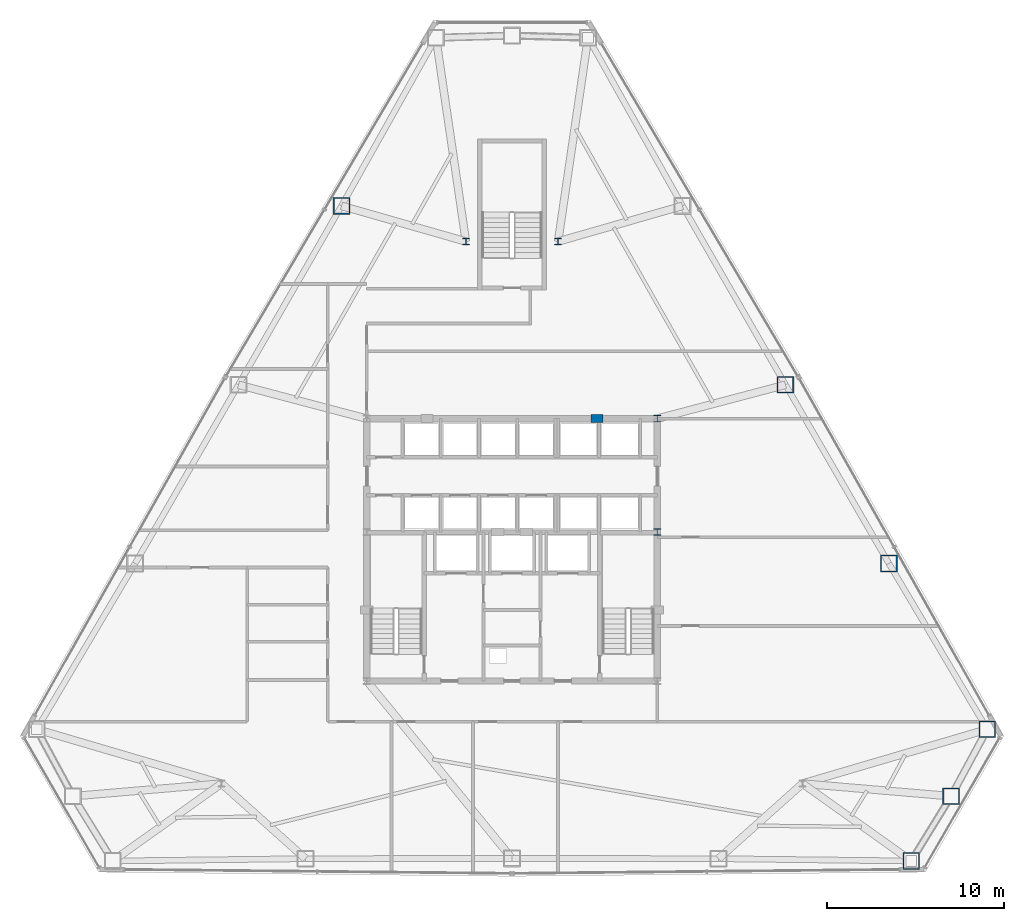
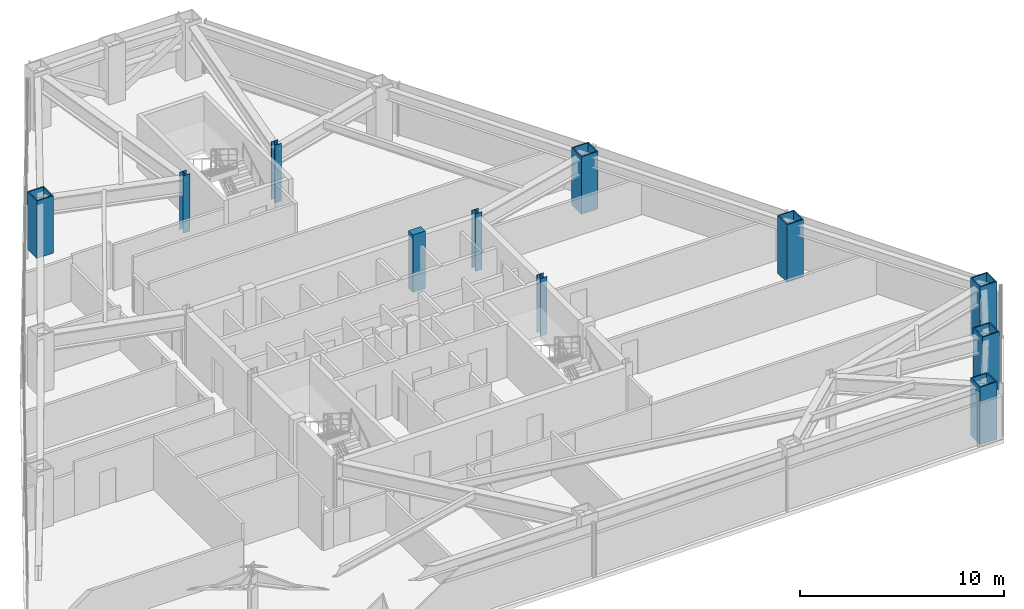
# One storey, part 2 of 13: 11 columns.
"""IFC4 building model written with IfcOpenShell, lengths in metres."""

from ifc_helpers import new_model, si_unit, direction, frame, origin, origin_2d, place, context, subcontext, project, spatial, rectangle, hollow_rectangle, i_section, extrude, material, material_profile, profile_set, type_object, element, save


model = new_model("IFC4")

# Units and contexts
model_context = context("Model", 3, precision=1e-05, world=origin(), true_north=direction((0.0, 1.0)))
body_context = subcontext(model_context, "Body", "Model", "MODEL_VIEW")
ifc_project = project(units=[si_unit("LENGTHUNIT", "METRE"), si_unit("AREAUNIT", "SQUARE_METRE"), si_unit("VOLUMEUNIT", "CUBIC_METRE"), si_unit("PLANEANGLEUNIT", "RADIAN"), si_unit("MASSUNIT", "GRAM", prefix="KILO")], contexts=[model_context])

# Site, building, storey
site_placement = place(None, origin())
site = spatial("IfcSite", under=ifc_project, at=site_placement, CompositionType="ELEMENT")
building_placement = place(site_placement, origin())
building = spatial("IfcBuilding", under=site, at=building_placement, Name="Varakhsha Concourse Tower", CompositionType="ELEMENT")
storey_placement = place(building_placement, frame((0.0, 0.0, 116.0)))
storey = spatial("IfcBuildingStorey", under=building, at=storey_placement, Name="L33", CompositionType="ELEMENT", Elevation=116.0)

# Columns
ifc_material_1 = material(Name="Structural Steel ASTM A992 Grade 50", Category="steel")
ifc_material_profile_1 = material_profile(ifc_material_1, i_section(OverallWidth=0.3740234375, OverallDepth=0.3720703125, WebThickness=0.01611328125, FlangeThickness=0.02587890625, at=origin_2d()), Name="W14X132")
ifc_profile_set_1 = profile_set([ifc_material_profile_1], Name="Structural Steel ASTM A992 Grade 50")
column_type_1 = type_object("IfcColumnType", Name="CL-CORE-W14X132", PredefinedType="COLUMN", material=ifc_profile_set_1)
for number, where, z_axis, x_axis, name in (
    (1, (48.199951171875, 24.800048828125, 0.0), (0.0, 0.0, 1.0), (1.0, 0.0, 0.0), "L33 Core Column CC-ME"),
    (2, (48.199951171875, 31.199951171875, 0.0), (0.0, 0.0, 1.0), (1.0, 0.0, 0.0), "L33 Core Column CC-NE"),
    (3, (37.39990234375, 41.199951171875, 0.0), (0.0, 0.0, 1.0), (1.0, 0.0, 0.0), "L33 Core Column NS-W"),
    (4, (42.60009765625, 41.199951171875, 0.0), (0.0, 0.0, 1.0), (1.0, 0.0, 0.0), "L33 Core Column NS-E"),
):
    element("IfcColumn", number, at=place(storey_placement, frame(where, z_axis=z_axis, x_axis=x_axis)), inside=storey, type_object=column_type_1, Name=name, PredefinedType="COLUMN", context=body_context, shape_type="SweptSolid", body=[
        extrude(i_section(OverallWidth=0.3740234375, OverallDepth=0.3720703125, WebThickness=0.01611328125, FlangeThickness=0.02587890625, at=origin_2d()), origin(), (0.0, 0.0, 1.0), 3.449951171875),
    ])
ifc_material_2 = material(Name="Concrete fc 65 MPa", Category="concrete")
ifc_material_profile_2 = material_profile(ifc_material_2, rectangle(XDim=0.699951171875, YDim=0.449951171875, at=origin_2d()), Name="RC 700x450")
ifc_profile_set_2 = profile_set([ifc_material_profile_2], Name="Concrete fc 65 MPa")
column_type_2 = type_object("IfcColumnType", Name="CL-PIL-700X450", PredefinedType="PILASTER", material=ifc_profile_set_2)
column_placement = place(storey_placement, frame((44.800048828125, 31.199951171875, 0.0), z_axis=(0.0, 0.0, 1.0), x_axis=(1.0, 0.0, 0.0)))
element("IfcColumn", 5, at=column_placement, inside=storey, type_object=column_type_2, Name="L33 Core Boundary Pilaster PIL-N2", PredefinedType="PILASTER", context=body_context, shape_type="SweptSolid", body=[
    extrude(rectangle(XDim=0.699951171875, YDim=0.449951171875, at=origin_2d()), origin(), (0.0, 0.0, 1.0), 3.449951171875),
])
ifc_material_3 = material(Name="Structural Steel ASTM A572 Grade 50", Category="steel")
ifc_material_profile_3 = material_profile(ifc_material_3, hollow_rectangle(XDim=0.949951171875, YDim=0.949951171875, WallThickness=0.06494140625, at=origin_2d()), Name="BOX 950x950x65")
ifc_profile_set_3 = profile_set([ifc_material_profile_3], Name="Structural Steel ASTM A572 Grade 50")
column_type_3 = type_object("IfcColumnType", Name="CL-TUBE-950", PredefinedType="COLUMN", material=ifc_profile_set_3)
for number, where, z_axis, x_axis, name in (
    (6, (30.37890625, 43.214111328125, 0.0), (0.0, 0.0, 1.0), (1.0, 0.0, 0.0), "L33 Framed-Tube Column TC04"),
    (7, (62.5390625, 6.23095703125, 0.0), (0.0, 0.0, 1.0), (1.0, 0.0, 0.0), "L33 Framed-Tube Column TC13"),
    (8, (64.789794921875, 9.8876953125, 0.0), (0.0, 0.0, 1.0), (1.0, 0.0, 0.0), "L33 Framed-Tube Column TC14"),
    (9, (66.831298828125, 13.6650390625, 0.0), (0.0, 0.0, 1.0), (1.0, 0.0, 0.0), "L33 Framed-Tube Column TC15"),
    (10, (61.277099609375, 23.02490234375, 0.0), (0.0, 0.0, 1.0), (1.0, 0.0, 0.0), "L33 Framed-Tube Column TC16"),
    (11, (55.43798828125, 33.113037109375, 0.0), (0.0, 0.0, 1.0), (1.0, 0.0, 0.0), "L33 Framed-Tube Column TC17"),
):
    element("IfcColumn", number, at=place(storey_placement, frame(where, z_axis=z_axis, x_axis=x_axis)), inside=storey, type_object=column_type_3, Name=name, PredefinedType="COLUMN", context=body_context, shape_type="SweptSolid", body=[
        extrude(hollow_rectangle(XDim=0.949951171875, YDim=0.949951171875, WallThickness=0.06494140625, at=origin_2d()), origin(), (0.0, 0.0, 1.0), 3.449951171875),
    ])

save(model, "model.ifc")
